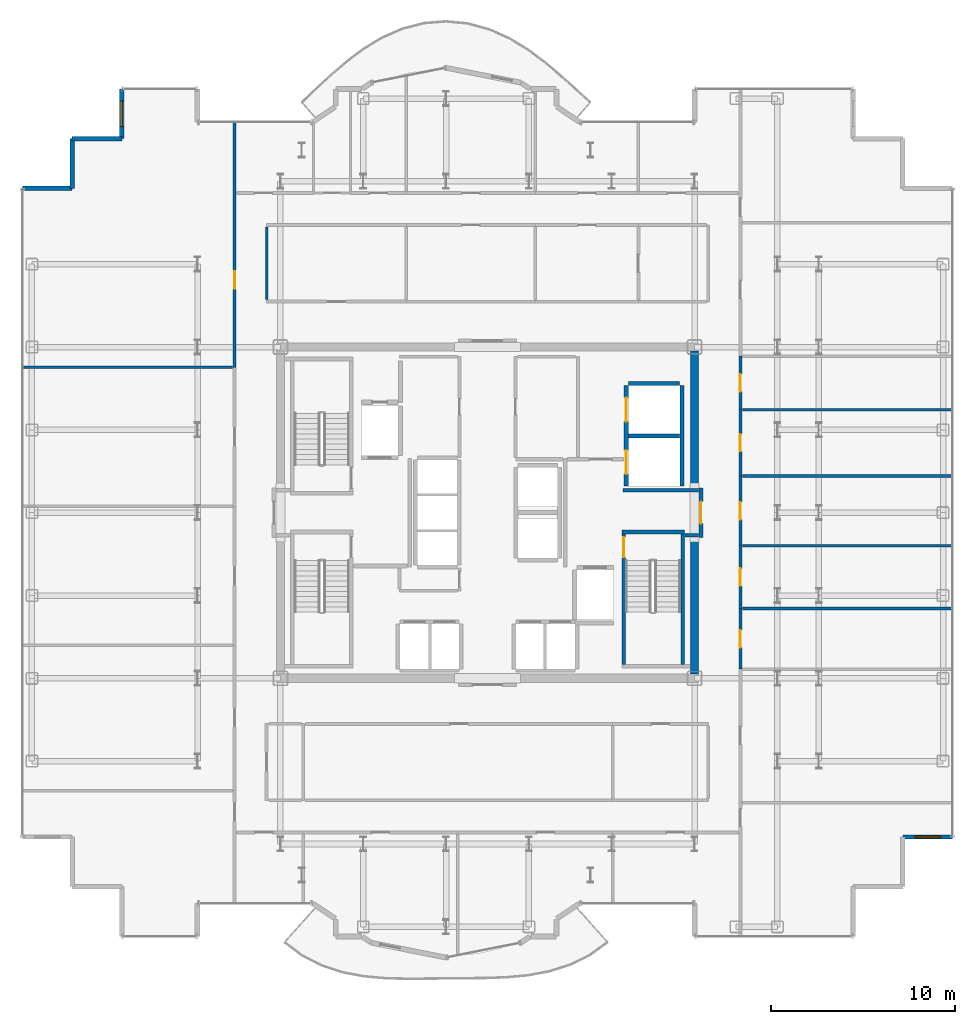
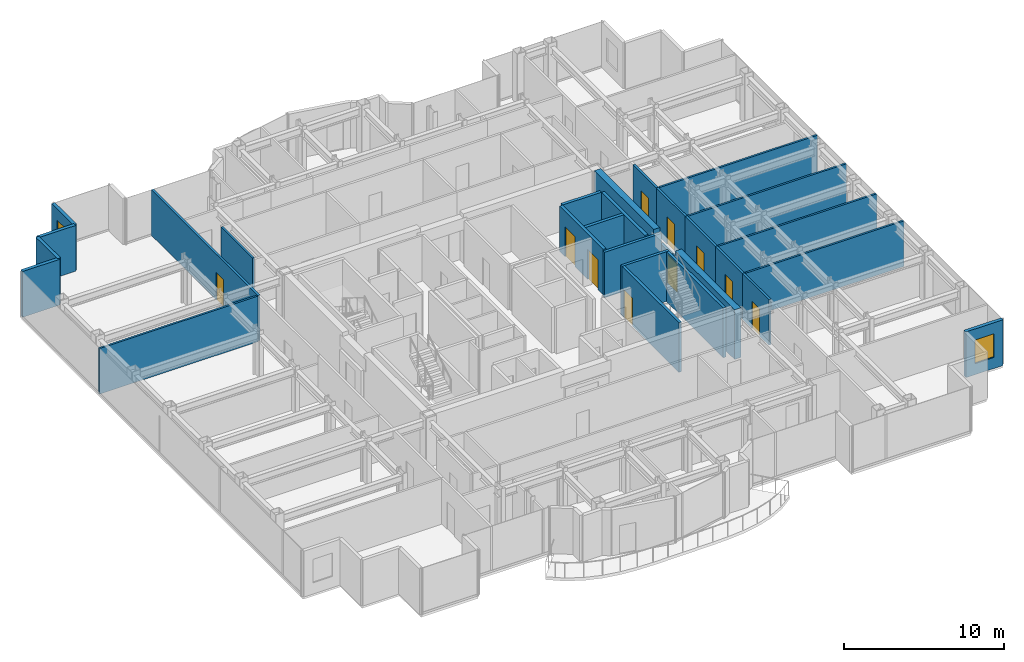
# One storey, part 17 of 21: 29 walls, 10 doors, 2 windows, 12 openings.
"""IFC4 building model written with IfcOpenShell, lengths in metres."""

from ifc_helpers import new_model, si_unit, direction, frame, frame_2d, origin, place, context, subcontext, project, spatial, rectangle, extrude, source, transform, mapped, material, layer, layer_set, type_object, element, fill, save


model = new_model("IFC4")

# Units and contexts
model_context = context("Model", 3, precision=1e-05, world=origin(), true_north=direction((0.0, 1.0)))
body_context = subcontext(model_context, "Body", "Model", "MODEL_VIEW")
ifc_project = project(units=[si_unit("LENGTHUNIT", "METRE"), si_unit("AREAUNIT", "SQUARE_METRE"), si_unit("VOLUMEUNIT", "CUBIC_METRE"), si_unit("PLANEANGLEUNIT", "RADIAN"), si_unit("MASSUNIT", "GRAM", prefix="KILO")], contexts=[model_context])

# Site, building, storey
site_placement = place(None, origin())
site = spatial("IfcSite", under=ifc_project, at=site_placement, CompositionType="ELEMENT")
building_placement = place(site_placement, origin())
building = spatial("IfcBuilding", under=site, at=building_placement, Name="Nefas-Gora Pilgrimage Tower", CompositionType="ELEMENT")
storey_placement = place(building_placement, frame((0.0, 0.0, 256.0)))
storey = spatial("IfcBuildingStorey", under=building, at=storey_placement, Name="L64", CompositionType="ELEMENT", Elevation=256.0)

# Walls
ifc_material_1 = material(Name="Concrete C50/60", Category="concrete")
ifc_layer_1 = layer(ifc_material_1, 0.449951171875)
ifc_layer_set_1 = layer_set([ifc_layer_1], Name="Concrete C50/60")
wall_type_1 = type_object("IfcWallType", Name="SW-CORE-450", PredefinedType="SHEAR", material=ifc_layer_set_1)
shared_shape_1 = source(origin(), body_context, "Body", "SweptSolid", [
    extrude(rectangle(XDim=7.4248046875, YDim=0.449951171875, at=frame_2d((3.71240234375, 0.0))), origin(), (0.0, 0.0, 1.0), 3.800048828125),
])
for number, where, z_axis, x_axis, name in (
    (1, (11.25, -8.77490234375, 0.0), (0.0, 0.0, 1.0), (0.0, 1.0, 0.0), "L64 Core Shear Wall E-South"),
    (2, (11.25, 1.35009765625, 0.0), (0.0, 0.0, 1.0), (0.0, 1.0, 0.0), "L64 Core Shear Wall E-North"),
):
    element("IfcWall", number, at=place(storey_placement, frame(where, z_axis=z_axis, x_axis=x_axis)), inside=storey, type_object=wall_type_1, Name=name, PredefinedType="SHEAR", context=body_context, shape_type="MappedRepresentation", body=[
        mapped(shared_shape_1, transform((0.0, 0.0, 0.0), x_axis=(1.0, 0.0, 0.0), y_axis=(0.0, 1.0, 0.0), z_axis=(0.0, 0.0, 1.0), scale=1.0)),
    ])

# Wall, opening, window
ifc_material_2 = material(Name="Precast concrete C45/55", Category="concrete")
ifc_layer_2 = layer(ifc_material_2, 0.239990234375)
ifc_layer_set_2 = layer_set([ifc_layer_2], Name="Precast concrete C45/55")
wall_type_2 = type_object("IfcWallType", Name="EW-SERR-240", PredefinedType="SHEAR", material=ifc_layer_set_2)
shared_shape_2 = source(origin(), body_context, "Body", "SweptSolid", [
    extrude(rectangle(XDim=2.699951171875, YDim=0.239990234375, at=frame_2d((1.35009765625, 0.0))), origin(), (0.0, 0.0, 1.0), 3.5),
])
wall_1_placement = place(storey_placement, frame((22.570068359375, -17.6201171875, 0.0), z_axis=(0.0, 0.0, 1.0), x_axis=(1.0, 0.0, 0.0)))
wall_1 = element("IfcWall", 3, at=wall_1_placement, inside=storey, type_object=wall_type_2, Name="L64 Serrated Corner Shear Pier Wall 5", PredefinedType="SHEAR", context=body_context, shape_type="MappedRepresentation", body=[
    mapped(shared_shape_2, transform((0.0, 0.0, 0.0), x_axis=(1.0, 0.0, 0.0), y_axis=(0.0, 1.0, 0.0), z_axis=(0.0, 0.0, 1.0), scale=1.0)),
])
opening_1_placement = place(wall_1_placement, frame((0.64990234375, 0.0, 0.85009765625)))
opening_1 = element("IfcOpeningElement", 4, at=opening_1_placement, cuts=wall_1, Name="Opening W-V2", PredefinedType="OPENING", context=body_context, shape_type="SweptSolid", body=[
    extrude(rectangle(XDim=1.39990234375, YDim=1.800048828125, at=frame_2d((0.699951171875, 0.89990234375))), frame((0.0, 0.1298828125, 0.0), z_axis=(0.0, -1.0, 0.0), x_axis=(1.0, 0.0, 0.0)), (0.0, 0.0, 1.0), 0.260009765625),
])
ifc_material_3 = material(Name="Dark ceramic-fritted operable aluminium-glass window", Category="aluminium")
window_type = type_object("IfcWindowType", Name="WIN-VENT-1400x1800", PartitioningType="SINGLE_PANEL", PredefinedType="WINDOW", material=ifc_material_3)
shared_shape_3 = source(origin(), body_context, "Body", "SweptSolid", [
    extrude(rectangle(XDim=1.39990234375, YDim=1.800048828125, at=frame_2d((0.699951171875, 0.89990234375))), frame((0.0, 0.030029296875, 0.0), z_axis=(0.0, -1.0, 0.0), x_axis=(1.0, 0.0, 0.0)), (0.0, 0.0, 1.0), 0.06005859375),
])
window_1_placement = place(opening_1_placement, origin())
window_1 = element("IfcWindow", 5, at=window_1_placement, inside=storey, type_object=window_type, Name="L64 Operable Parallel-Outswing Window 5", OverallHeight=1.800048828125, OverallWidth=1.39990234375, PartitioningType="SINGLE_PANEL", PredefinedType="WINDOW", context=body_context, shape_type="MappedRepresentation", body=[
    mapped(shared_shape_3, transform((0.0, 0.0, 0.0), x_axis=(1.0, 0.0, 0.0), y_axis=(0.0, 1.0, 0.0), z_axis=(0.0, 0.0, 1.0), scale=1.0)),
])
fill(opening_1, window_1)

wall_2_placement = place(storey_placement, frame((-19.8701171875, 23.02001953125, 0.0), z_axis=(0.0, 0.0, 1.0), x_axis=(0.0, -1.0, 0.0)))
wall_2 = element("IfcWall", 6, at=wall_2_placement, inside=storey, type_object=wall_type_2, Name="L64 Serrated Corner Shear Pier Wall 21", PredefinedType="SHEAR", context=body_context, shape_type="MappedRepresentation", body=[
    mapped(shared_shape_2, transform((0.0, 0.0, 0.0), x_axis=(1.0, 0.0, 0.0), y_axis=(0.0, 1.0, 0.0), z_axis=(0.0, 0.0, 1.0), scale=1.0)),
])
opening_2_placement = place(wall_2_placement, frame((0.64990234375, 0.0, 0.85009765625)))
opening_2 = element("IfcOpeningElement", 7, at=opening_2_placement, cuts=wall_2, Name="Opening W-V2", PredefinedType="OPENING", context=body_context, shape_type="SweptSolid", body=[
    extrude(rectangle(XDim=1.39990234375, YDim=1.800048828125, at=frame_2d((0.699951171875, 0.89990234375))), frame((0.0, 0.1298828125, 0.0), z_axis=(0.0, -1.0, 0.0), x_axis=(1.0, 0.0, 0.0)), (0.0, 0.0, 1.0), 0.260009765625),
])
window_2_placement = place(opening_2_placement, origin())
window_2 = element("IfcWindow", 8, at=window_2_placement, inside=storey, type_object=window_type, Name="L64 Operable Parallel-Outswing Window 21", OverallHeight=1.800048828125, OverallWidth=1.39990234375, PartitioningType="SINGLE_PANEL", PredefinedType="WINDOW", context=body_context, shape_type="MappedRepresentation", body=[
    mapped(shared_shape_3, transform((0.0, 0.0, 0.0), x_axis=(1.0, 0.0, 0.0), y_axis=(0.0, 1.0, 0.0), z_axis=(0.0, 0.0, 1.0), scale=1.0)),
])
fill(opening_2, window_2)

# Walls
for number, where, z_axis, x_axis, name in (
    (9, (-19.8701171875, 20.320068359375, 0.0), (0.0, 0.0, 1.0), (-1.0, 0.0, 0.0), "L64 Serrated Corner Shear Pier Wall 22"),
    (10, (-22.570068359375, 20.320068359375, 0.0), (0.0, 0.0, 1.0), (0.0, -1.0, 0.0), "L64 Serrated Corner Shear Pier Wall 23"),
    (11, (-22.570068359375, 17.6201171875, 0.0), (0.0, 0.0, 1.0), (-1.0, 0.0, 0.0), "L64 Serrated Corner Shear Pier Wall 24"),
):
    element("IfcWall", number, at=place(storey_placement, frame(where, z_axis=z_axis, x_axis=x_axis)), inside=storey, type_object=wall_type_2, Name=name, PredefinedType="SHEAR", context=body_context, shape_type="MappedRepresentation", body=[
        mapped(shared_shape_2, transform((0.0, 0.0, 0.0), x_axis=(1.0, 0.0, 0.0), y_axis=(0.0, 1.0, 0.0), z_axis=(0.0, 0.0, 1.0), scale=1.0)),
    ])
ifc_material_4 = material(Name="Concrete C45/55", Category="concrete")
ifc_layer_3 = layer(ifc_material_4, 0.199951171875)
ifc_layer_set_3 = layer_set([ifc_layer_3], Name="Concrete C45/55")
wall_type_3 = type_object("IfcWallType", Name="IW-STAIR-200", PredefinedType="SOLIDWALL", material=ifc_layer_set_3)
shared_shape_4 = source(origin(), body_context, "Body", "SweptSolid", [
    extrude(rectangle(XDim=3.39990234375, YDim=0.199951171875, at=frame_2d((1.699951171875, 0.0))), origin(), (0.0, 0.0, 1.0), 3.800048828125),
])
wall_3_placement = place(storey_placement, frame((7.300048828125, -1.050048828125, 0.0), z_axis=(0.0, 0.0, 1.0), x_axis=(1.0, 0.0, 0.0)))
element("IfcWall", 12, at=wall_3_placement, inside=storey, type_object=wall_type_3, Name="L64 Stairwell Shear Wall ST-02-near", PredefinedType="SOLIDWALL", context=body_context, shape_type="MappedRepresentation", body=[
    mapped(shared_shape_4, transform((0.0, 0.0, 0.0), x_axis=(1.0, 0.0, 0.0), y_axis=(0.0, 1.0, 0.0), z_axis=(0.0, 0.0, 1.0), scale=1.0)),
])

# Wall, opening, door
shared_shape_5 = source(origin(), body_context, "Body", "SweptSolid", [
    extrude(rectangle(XDim=7.10009765625, YDim=0.199951171875, at=frame_2d((3.550048828125, 0.0))), origin(), (0.0, 0.0, 1.0), 3.800048828125),
])
wall_4_placement = place(storey_placement, frame((7.39990234375, -1.14990234375, 0.0), z_axis=(0.0, 0.0, 1.0), x_axis=(0.0, -1.0, 0.0)))
wall_4 = element("IfcWall", 13, at=wall_4_placement, inside=storey, type_object=wall_type_3, Name="L64 Stairwell Shear Wall ST-02-left", PredefinedType="SOLIDWALL", context=body_context, shape_type="MappedRepresentation", body=[
    mapped(shared_shape_5, transform((0.0, 0.0, 0.0), x_axis=(1.0, 0.0, 0.0), y_axis=(0.0, 1.0, 0.0), z_axis=(0.0, 0.0, 1.0), scale=1.0)),
])
opening_3_placement = place(wall_4_placement, frame((0.179931640625, 0.0, 0.0)))
opening_3 = element("IfcOpeningElement", 14, at=opening_3_placement, cuts=wall_4, Name="Opening ID-ST1", PredefinedType="OPENING", context=body_context, shape_type="SweptSolid", body=[
    extrude(rectangle(XDim=1.10009765625, YDim=2.14990234375, at=frame_2d((0.550048828125, 1.074951171875))), frame((0.0, 0.10986328125, 0.0), z_axis=(0.0, -1.0, 0.0), x_axis=(1.0, 0.0, 0.0)), (0.0, 0.0, 1.0), 0.219970703125),
])
ifc_material_5 = material(Name="Painted galvanised steel fire stair door", Category="steel")
door_type_1 = type_object("IfcDoorType", Name="DR-INT-STAIR-1100", OperationType="NOTDEFINED", PredefinedType="DOOR", material=ifc_material_5)
shared_shape_6 = source(origin(), body_context, "Body", "SweptSolid", [
    extrude(rectangle(XDim=1.10009765625, YDim=2.14990234375, at=frame_2d((0.550048828125, 1.074951171875))), frame((0.0, 0.02490234375, 0.0), z_axis=(0.0, -1.0, 0.0), x_axis=(1.0, 0.0, 0.0)), (0.0, 0.0, 1.0), 0.050048828125),
])
door_1_placement = place(opening_3_placement, origin())
door_1 = element("IfcDoor", 15, at=door_1_placement, inside=storey, type_object=door_type_1, Name="L64 Protected Exit Stair Door ST-02", OperationType="SINGLE_SWING_LEFT", OverallHeight=2.14990234375, OverallWidth=1.10009765625, PredefinedType="DOOR", context=body_context, shape_type="MappedRepresentation", body=[
    mapped(shared_shape_6, transform((0.0, 0.0, 0.0), x_axis=(1.0, 0.0, 0.0), y_axis=(0.0, 1.0, 0.0), z_axis=(0.0, 0.0, 1.0), scale=1.0)),
])
fill(opening_3, door_1)

# Wall
wall_5_placement = place(storey_placement, frame((10.60009765625, -1.14990234375, 0.0), z_axis=(0.0, 0.0, 1.0), x_axis=(0.0, -1.0, 0.0)))
element("IfcWall", 16, at=wall_5_placement, inside=storey, type_object=wall_type_3, Name="L64 Stairwell Shear Wall ST-02-right", PredefinedType="SOLIDWALL", context=body_context, shape_type="MappedRepresentation", body=[
    mapped(shared_shape_5, transform((0.0, 0.0, 0.0), x_axis=(1.0, 0.0, 0.0), y_axis=(0.0, 1.0, 0.0), z_axis=(0.0, 0.0, 1.0), scale=1.0)),
])

# Wall, openings, doors
ifc_material_6 = material(Name="Concrete C40/50", Category="concrete")
ifc_layer_4 = layer(ifc_material_6, 0.219970703125)
ifc_layer_set_4 = layer_set([ifc_layer_4], Name="Concrete C40/50")
wall_type_4 = type_object("IfcWallType", Name="IW-SHAFT-220", PredefinedType="SOLIDWALL", material=ifc_layer_set_4)
shared_shape_7 = source(origin(), body_context, "Body", "SweptSolid", [
    extrude(rectangle(XDim=5.449951171875, YDim=0.219970703125, at=frame_2d((2.72509765625, 0.0))), origin(), (0.0, 0.0, 1.0), 3.485107421875),
])
wall_6_placement = place(storey_placement, frame((7.5400390625, 6.89990234375, 0.0), z_axis=(0.0, 0.0, 1.0), x_axis=(0.0, -1.0, 0.0)))
wall_6 = element("IfcWall", 17, at=wall_6_placement, inside=storey, type_object=wall_type_4, Name="L64 Hoistway Wall SL-01-02-W", PredefinedType="SOLIDWALL", context=body_context, shape_type="MappedRepresentation", body=[
    mapped(shared_shape_7, transform((0.0, 0.0, 0.0), x_axis=(1.0, 0.0, 0.0), y_axis=(0.0, 1.0, 0.0), z_axis=(0.0, 0.0, 1.0), scale=1.0)),
])
opening_4_placement = place(wall_6_placement, frame((3.5, 0.0, 0.0)))
opening_4 = element("IfcOpeningElement", 18, at=opening_4_placement, cuts=wall_6, Name="Opening LD-SV", PredefinedType="OPENING", context=body_context, shape_type="SweptSolid", body=[
    extrude(rectangle(XDim=1.300048828125, YDim=2.300048828125, at=frame_2d((0.64990234375, 1.14990234375))), frame((0.0, 0.119873046875, 0.0), z_axis=(0.0, -1.0, 0.0), x_axis=(1.0, 0.0, 0.0)), (0.0, 0.0, 1.0), 0.239990234375),
])
opening_5_placement = place(wall_6_placement, frame((0.64990234375, 0.0, 0.0)))
opening_5 = element("IfcOpeningElement", 19, at=opening_5_placement, cuts=wall_6, Name="Opening LD-SV", PredefinedType="OPENING", context=body_context, shape_type="SweptSolid", body=[
    extrude(rectangle(XDim=1.300048828125, YDim=2.300048828125, at=frame_2d((0.64990234375, 1.14990234375))), frame((0.0, 0.119873046875, 0.0), z_axis=(0.0, -1.0, 0.0), x_axis=(1.0, 0.0, 0.0)), (0.0, 0.0, 1.0), 0.239990234375),
])
ifc_material_7 = material(Name="Heavy goods sliding lift landing door")
door_type_2 = type_object("IfcDoorType", Name="DR-LIFT-SERV-1300", OperationType="SLIDING_TO_RIGHT", PredefinedType="DOOR", material=ifc_material_7)
shared_shape_8 = source(origin(), body_context, "Body", "SweptSolid", [
    extrude(rectangle(XDim=1.300048828125, YDim=2.300048828125, at=frame_2d((0.64990234375, 1.14990234375))), frame((0.0, 0.02490234375, 0.0), z_axis=(0.0, -1.0, 0.0), x_axis=(1.0, 0.0, 0.0)), (0.0, 0.0, 1.0), 0.050048828125),
])
door_2_placement = place(opening_4_placement, origin())
door_2 = element("IfcDoor", 20, at=door_2_placement, inside=storey, type_object=door_type_2, Name="L64 Sliding Lift Landing Door SL-01", OperationType="SLIDING_TO_RIGHT", OverallHeight=2.300048828125, OverallWidth=1.300048828125, PredefinedType="DOOR", context=body_context, shape_type="MappedRepresentation", body=[
    mapped(shared_shape_8, transform((0.0, 0.0, 0.0), x_axis=(1.0, 0.0, 0.0), y_axis=(0.0, 1.0, 0.0), z_axis=(0.0, 0.0, 1.0), scale=1.0)),
])
fill(opening_4, door_2)
door_3_placement = place(opening_5_placement, origin())
door_3 = element("IfcDoor", 21, at=door_3_placement, inside=storey, type_object=door_type_2, Name="L64 Sliding Lift Landing Door SL-02", OperationType="SLIDING_TO_RIGHT", OverallHeight=2.300048828125, OverallWidth=1.300048828125, PredefinedType="DOOR", context=body_context, shape_type="MappedRepresentation", body=[
    mapped(shared_shape_8, transform((0.0, 0.0, 0.0), x_axis=(1.0, 0.0, 0.0), y_axis=(0.0, 1.0, 0.0), z_axis=(0.0, 0.0, 1.0), scale=1.0)),
])
fill(opening_5, door_3)

# Walls
wall_7_placement = place(storey_placement, frame((10.56005859375, 1.449951171875, 0.0), z_axis=(0.0, 0.0, 1.0), x_axis=(0.0, 1.0, 0.0)))
element("IfcWall", 22, at=wall_7_placement, inside=storey, type_object=wall_type_4, Name="L64 Hoistway Wall SL-01-02-E", PredefinedType="SOLIDWALL", context=body_context, shape_type="MappedRepresentation", body=[
    mapped(shared_shape_7, transform((0.0, 0.0, 0.0), x_axis=(1.0, 0.0, 0.0), y_axis=(0.0, 1.0, 0.0), z_axis=(0.0, 0.0, 1.0), scale=1.0)),
])
shared_shape_9 = source(origin(), body_context, "Body", "SweptSolid", [
    extrude(rectangle(XDim=2.780029296875, YDim=0.219970703125, at=frame_2d((1.39013671875, 0.0))), origin(), (0.0, 0.0, 1.0), 3.485107421875),
])
for number, where, z_axis, x_axis, name in (
    (23, (7.659912109375, 4.175048828125, 0.0), (0.0, 0.0, 1.0), (1.0, 0.0, 0.0), "L64 Hoistway Wall SL-01-02-DIV"),
    (24, (10.43994140625, 7.010009765625, 0.0), (0.0, 0.0, 1.0), (-1.0, 0.0, 0.0), "L64 Hoistway Wall SL-02-N"),
):
    element("IfcWall", number, at=place(storey_placement, frame(where, z_axis=z_axis, x_axis=x_axis)), inside=storey, type_object=wall_type_4, Name=name, PredefinedType="SOLIDWALL", context=body_context, shape_type="MappedRepresentation", body=[
        mapped(shared_shape_9, transform((0.0, 0.0, 0.0), x_axis=(1.0, 0.0, 0.0), y_axis=(0.0, 1.0, 0.0), z_axis=(0.0, 0.0, 1.0), scale=1.0)),
    ])
ifc_material_8 = material(Name="Gypsum fire-rated shaftwall")
ifc_layer_5 = layer(ifc_material_8, 0.199951171875)
ifc_layer_set_5 = layer_set([ifc_layer_5], Name="Gypsum fire-rated shaftwall")
wall_type_5 = type_object("IfcWallType", Name="IW-FFLOB-200", PredefinedType="PARTITIONING", material=ifc_layer_set_5)
shared_shape_10 = source(origin(), body_context, "Body", "SweptSolid", [
    extrude(rectangle(XDim=0.719970703125, YDim=0.199951171875, at=frame_2d((0.35986328125, 0.0))), origin(), (0.0, 0.0, 1.0), 3.485107421875),
])
wall_8_placement = place(storey_placement, frame((10.739990234375, -1.219970703125, 0.0), z_axis=(0.0, 0.0, 1.0), x_axis=(1.0, 0.0, 0.0)))
element("IfcWall", 25, at=wall_8_placement, inside=storey, type_object=wall_type_5, Name="L64 FF Lobby East Throat S Wall 14", PredefinedType="PARTITIONING", context=body_context, shape_type="MappedRepresentation", body=[
    mapped(shared_shape_10, transform((0.0, 0.0, 0.0), x_axis=(1.0, 0.0, 0.0), y_axis=(0.0, 1.0, 0.0), z_axis=(0.0, 0.0, 1.0), scale=1.0)),
])
shared_shape_11 = source(origin(), body_context, "Body", "SweptSolid", [
    extrude(rectangle(XDim=4.10986328125, YDim=0.199951171875, at=frame_2d((2.054931640625, 0.0))), origin(), (0.0, 0.0, 1.0), 3.485107421875),
])
wall_9_placement = place(storey_placement, frame((7.35009765625, 1.219970703125, 0.0), z_axis=(0.0, 0.0, 1.0), x_axis=(1.0, 0.0, 0.0)))
element("IfcWall", 26, at=wall_9_placement, inside=storey, type_object=wall_type_5, Name="L64 FF Lobby East Throat N Wall 13", PredefinedType="PARTITIONING", context=body_context, shape_type="MappedRepresentation", body=[
    mapped(shared_shape_11, transform((0.0, 0.0, 0.0), x_axis=(1.0, 0.0, 0.0), y_axis=(0.0, 1.0, 0.0), z_axis=(0.0, 0.0, 1.0), scale=1.0)),
])

# Wall, opening, door
ifc_material_9 = material(Name="Gypsum acoustic stud partition")
ifc_layer_6 = layer(ifc_material_9, 0.159912109375)
ifc_layer_set_6 = layer_set([ifc_layer_6], Name="Gypsum acoustic stud partition")
wall_type_6 = type_object("IfcWallType", Name="IW-CORR-160", PredefinedType="PARTITIONING", material=ifc_layer_set_6)
shared_shape_12 = source(origin(), body_context, "Body", "SweptSolid", [
    extrude(rectangle(XDim=13.3525390625, YDim=0.159912109375, at=frame_2d((6.67626953125, 0.0))), origin(), (0.0, 0.0, 1.0), 3.485107421875),
])
wall_10_placement = place(storey_placement, frame((-13.739990234375, 7.887451171875, 0.0), z_axis=(0.0, 0.0, 1.0), x_axis=(0.0, 1.0, 0.0)))
wall_10 = element("IfcWall", 27, at=wall_10_placement, inside=storey, type_object=wall_type_6, Name="L64 Pilgrim Devotional Prayer Gallery Partition Wall 32", PredefinedType="PARTITIONING", context=body_context, shape_type="MappedRepresentation", body=[
    mapped(shared_shape_12, transform((0.0, 0.0, 0.0), x_axis=(1.0, 0.0, 0.0), y_axis=(0.0, 1.0, 0.0), z_axis=(0.0, 0.0, 1.0), scale=1.0)),
])
opening_6_placement = place(wall_10_placement, frame((4.286376953125, 0.0, 0.0)))
opening_6 = element("IfcOpeningElement", 28, at=opening_6_placement, cuts=wall_10, Name="Opening ID-GR1", PredefinedType="OPENING", context=body_context, shape_type="SweptSolid", body=[
    extrude(rectangle(XDim=0.949951171875, YDim=2.10009765625, at=frame_2d((0.47509765625, 1.050048828125))), frame((0.0, 0.08984375, 0.0), z_axis=(0.0, -1.0, 0.0), x_axis=(1.0, 0.0, 0.0)), (0.0, 0.0, 1.0), 0.179931640625),
])
ifc_material_10 = material(Name="Solid core oak fire-rated guest entrance door")
door_type_3 = type_object("IfcDoorType", Name="DR-INT-GUEST-950", OperationType="NOTDEFINED", PredefinedType="DOOR", material=ifc_material_10)
shared_shape_13 = source(origin(), body_context, "Body", "SweptSolid", [
    extrude(rectangle(XDim=0.949951171875, YDim=2.10009765625, at=frame_2d((0.47509765625, 1.050048828125))), frame((0.0, 0.02490234375, 0.0), z_axis=(0.0, -1.0, 0.0), x_axis=(1.0, 0.0, 0.0)), (0.0, 0.0, 1.0), 0.050048828125),
])
door_4_placement = place(opening_6_placement, origin())
door_4 = element("IfcDoor", 29, at=door_4_placement, inside=storey, type_object=door_type_3, Name="L64 Pilgrim Devotional Prayer Gallery Door 13", OperationType="SINGLE_SWING_LEFT", OverallHeight=2.10009765625, OverallWidth=0.949951171875, PredefinedType="DOOR", context=body_context, shape_type="MappedRepresentation", body=[
    mapped(shared_shape_13, transform((0.0, 0.0, 0.0), x_axis=(1.0, 0.0, 0.0), y_axis=(0.0, 1.0, 0.0), z_axis=(0.0, 0.0, 1.0), scale=1.0)),
])
fill(opening_6, door_4)

shared_shape_14 = source(origin(), body_context, "Body", "SweptSolid", [
    extrude(rectangle(XDim=3.309814453125, YDim=0.159912109375, at=frame_2d((1.65478515625, 0.0))), origin(), (0.0, 0.0, 1.0), 3.485107421875),
])
wall_11_placement = place(storey_placement, frame((13.739990234375, -8.5048828125, 0.0), z_axis=(0.0, 0.0, 1.0), x_axis=(0.0, 1.0, 0.0)))
wall_11 = element("IfcWall", 30, at=wall_11_placement, inside=storey, type_object=wall_type_6, Name="L64 Pastoral Chaplains Counselling Office Partition Wall 41", PredefinedType="PARTITIONING", context=body_context, shape_type="MappedRepresentation", body=[
    mapped(shared_shape_14, transform((0.0, 0.0, 0.0), x_axis=(1.0, 0.0, 0.0), y_axis=(0.0, 1.0, 0.0), z_axis=(0.0, 0.0, 1.0), scale=1.0)),
])
opening_7_placement = place(wall_11_placement, frame((1.179931640625, 0.0, 0.0)))
opening_7 = element("IfcOpeningElement", 31, at=opening_7_placement, cuts=wall_11, Name="Opening ID-GR1", PredefinedType="OPENING", context=body_context, shape_type="SweptSolid", body=[
    extrude(rectangle(XDim=0.949951171875, YDim=2.10009765625, at=frame_2d((0.47509765625, 1.050048828125))), frame((0.0, 0.08984375, 0.0), z_axis=(0.0, -1.0, 0.0), x_axis=(1.0, 0.0, 0.0)), (0.0, 0.0, 1.0), 0.179931640625),
])
door_5_placement = place(opening_7_placement, origin())
door_5 = element("IfcDoor", 32, at=door_5_placement, inside=storey, type_object=door_type_3, Name="L64 Pastoral Chaplains Counselling Office Door 18", OperationType="SINGLE_SWING_RIGHT", OverallHeight=2.10009765625, OverallWidth=0.949951171875, PredefinedType="DOOR", context=body_context, shape_type="MappedRepresentation", body=[
    mapped(shared_shape_13, transform((0.0, 0.0, 0.0), x_axis=(1.0, 0.0, 0.0), y_axis=(0.0, 1.0, 0.0), z_axis=(0.0, 0.0, 1.0), scale=1.0)),
])
fill(opening_7, door_5)

shared_shape_15 = source(origin(), body_context, "Body", "SweptSolid", [
    extrude(rectangle(XDim=3.41015625, YDim=0.159912109375, at=frame_2d((1.705078125, 0.0))), origin(), (0.0, 0.0, 1.0), 3.485107421875),
])
wall_12_placement = place(storey_placement, frame((13.739990234375, -5.205078125, 0.0), z_axis=(0.0, 0.0, 1.0), x_axis=(0.0, 1.0, 0.0)))
wall_12 = element("IfcWall", 33, at=wall_12_placement, inside=storey, type_object=wall_type_6, Name="L64 Pilgrim Fellowship Seminar Room Partition Wall 43", PredefinedType="PARTITIONING", context=body_context, shape_type="MappedRepresentation", body=[
    mapped(shared_shape_15, transform((0.0, 0.0, 0.0), x_axis=(1.0, 0.0, 0.0), y_axis=(0.0, 1.0, 0.0), z_axis=(0.0, 0.0, 1.0), scale=1.0)),
])
opening_8_placement = place(wall_12_placement, frame((1.22998046875, 0.0, 0.0)))
opening_8 = element("IfcOpeningElement", 34, at=opening_8_placement, cuts=wall_12, Name="Opening ID-GR1", PredefinedType="OPENING", context=body_context, shape_type="SweptSolid", body=[
    extrude(rectangle(XDim=0.949951171875, YDim=2.10009765625, at=frame_2d((0.47509765625, 1.050048828125))), frame((0.0, 0.08984375, 0.0), z_axis=(0.0, -1.0, 0.0), x_axis=(1.0, 0.0, 0.0)), (0.0, 0.0, 1.0), 0.179931640625),
])
door_6_placement = place(opening_8_placement, origin())
door_6 = element("IfcDoor", 35, at=door_6_placement, inside=storey, type_object=door_type_3, Name="L64 Pilgrim Fellowship Seminar Room Door 19", OperationType="SINGLE_SWING_LEFT", OverallHeight=2.10009765625, OverallWidth=0.949951171875, PredefinedType="DOOR", context=body_context, shape_type="MappedRepresentation", body=[
    mapped(shared_shape_13, transform((0.0, 0.0, 0.0), x_axis=(1.0, 0.0, 0.0), y_axis=(0.0, 1.0, 0.0), z_axis=(0.0, 0.0, 1.0), scale=1.0)),
])
fill(opening_8, door_6)

# Walls
ifc_material_11 = material(Name="Gypsum twin-stud partition")
ifc_layer_7 = layer(ifc_material_11, 0.139892578125)
ifc_layer_set_7 = layer_set([ifc_layer_7], Name="Gypsum twin-stud partition")
wall_type_7 = type_object("IfcWallType", Name="IW-UNIT-140", PredefinedType="PARTITIONING", material=ifc_layer_set_7)
shared_shape_16 = source(origin(), body_context, "Body", "SweptSolid", [
    extrude(rectangle(XDim=11.429931640625, YDim=0.139892578125, at=frame_2d((5.71484375, 0.0))), origin(), (0.0, 0.0, 1.0), 3.485107421875),
])
for number, where, z_axis, x_axis, name in (
    (36, (-25.2900390625, 7.8974609375, 0.0), (0.0, 0.0, 1.0), (1.0, 0.0, 0.0), "L64 Pilgrim Devotional Prayer Gallery Partition Wall 33"),
    (37, (13.860107421875, -5.205078125, 0.0), (0.0, 0.0, 1.0), (1.0, 0.0, 0.0), "L64 Pastoral Chaplains Counselling Office Partition Wall 42"),
    (38, (13.860107421875, -1.804931640625, 0.0), (0.0, 0.0, 1.0), (1.0, 0.0, 0.0), "L64 Pilgrim Fellowship Seminar Room Partition Wall 44"),
    (39, (13.860107421875, 1.9951171875, 0.0), (0.0, 0.0, 1.0), (1.0, 0.0, 0.0), "L64 Pilgrim Contemplative Lounge Partition Wall 46"),
    (40, (13.860107421875, 5.594970703125, 0.0), (0.0, 0.0, 1.0), (1.0, 0.0, 0.0), "L64 Pilgrim Contemplative Lounge Partition Wall 48"),
):
    element("IfcWall", number, at=place(storey_placement, frame(where, z_axis=z_axis, x_axis=x_axis)), inside=storey, type_object=wall_type_7, Name=name, PredefinedType="PARTITIONING", context=body_context, shape_type="MappedRepresentation", body=[
        mapped(shared_shape_16, transform((0.0, 0.0, 0.0), x_axis=(1.0, 0.0, 0.0), y_axis=(0.0, 1.0, 0.0), z_axis=(0.0, 0.0, 1.0), scale=1.0)),
    ])
shared_shape_17 = source(origin(), body_context, "Body", "SweptSolid", [
    extrude(rectangle(XDim=3.929931640625, YDim=0.139892578125, at=frame_2d((1.96484375, 0.0))), origin(), (0.0, 0.0, 1.0), 3.485107421875),
])
wall_13_placement = place(storey_placement, frame((-12.0, 11.590087890625, 0.0), z_axis=(0.0, 0.0, 1.0), x_axis=(0.0, 1.0, 0.0)))
element("IfcWall", 41, at=wall_13_placement, inside=storey, type_object=wall_type_7, Name="L64 Pilgrim Contemplative Lounge Partition Wall 56", PredefinedType="PARTITIONING", context=body_context, shape_type="MappedRepresentation", body=[
    mapped(shared_shape_17, transform((0.0, 0.0, 0.0), x_axis=(1.0, 0.0, 0.0), y_axis=(0.0, 1.0, 0.0), z_axis=(0.0, 0.0, 1.0), scale=1.0)),
])

# Wall, opening, door
shared_shape_18 = source(origin(), body_context, "Body", "SweptSolid", [
    extrude(rectangle(XDim=2.7001953125, YDim=0.199951171875, at=frame_2d((1.35009765625, 0.0))), origin(), (0.0, 0.0, 1.0), 2.574951171875),
])
wall_14_placement = place(storey_placement, frame((11.60009765625, -1.35009765625, 0.0), z_axis=(0.0, 0.0, 1.0), x_axis=(0.0, 1.0, 0.0)))
wall_14 = element("IfcWall", 42, at=wall_14_placement, inside=storey, type_object=wall_type_5, Name="L64 FF Lobby East Portal Wall 9", PredefinedType="PARTITIONING", context=body_context, shape_type="MappedRepresentation", body=[
    mapped(shared_shape_18, transform((0.0, 0.0, 0.0), x_axis=(1.0, 0.0, 0.0), y_axis=(0.0, 1.0, 0.0), z_axis=(0.0, 0.0, 1.0), scale=1.0)),
])
opening_9_placement = place(wall_14_placement, frame((0.75, 0.0, 0.0)))
opening_9 = element("IfcOpeningElement", 43, at=opening_9_placement, cuts=wall_14, Name="Opening ID-FF1", PredefinedType="OPENING", context=body_context, shape_type="SweptSolid", body=[
    extrude(rectangle(XDim=1.199951171875, YDim=2.14990234375, at=frame_2d((0.60009765625, 1.074951171875))), frame((0.0, 0.10986328125, 0.0), z_axis=(0.0, -1.0, 0.0), x_axis=(1.0, 0.0, 0.0)), (0.0, 0.0, 1.0), 0.219970703125),
])
ifc_material_12 = material(Name="Smoke-sealed steel firefighting lobby door", Category="steel")
door_type_4 = type_object("IfcDoorType", Name="DR-INT-FFLOB-1200", OperationType="NOTDEFINED", PredefinedType="DOOR", material=ifc_material_12)
shared_shape_19 = source(origin(), body_context, "Body", "SweptSolid", [
    extrude(rectangle(XDim=1.199951171875, YDim=2.14990234375, at=frame_2d((0.60009765625, 1.074951171875))), frame((0.0, 0.02490234375, 0.0), z_axis=(0.0, -1.0, 0.0), x_axis=(1.0, 0.0, 0.0)), (0.0, 0.0, 1.0), 0.050048828125),
])
door_7_placement = place(opening_9_placement, origin())
door_7 = element("IfcDoor", 44, at=door_7_placement, inside=storey, type_object=door_type_4, Name="L64 FF Lobby East Portal Door 3", OperationType="SINGLE_SWING_LEFT", OverallHeight=2.14990234375, OverallWidth=1.199951171875, PredefinedType="DOOR", context=body_context, shape_type="MappedRepresentation", body=[
    mapped(shared_shape_19, transform((0.0, 0.0, 0.0), x_axis=(1.0, 0.0, 0.0), y_axis=(0.0, 1.0, 0.0), z_axis=(0.0, 0.0, 1.0), scale=1.0)),
])
fill(opening_9, door_7)

shared_shape_20 = source(origin(), body_context, "Body", "SweptSolid", [
    extrude(rectangle(XDim=3.809814453125, YDim=0.159912109375, at=frame_2d((1.90478515625, 0.0))), origin(), (0.0, 0.0, 1.0), 3.485107421875),
])
wall_15_placement = place(storey_placement, frame((13.739990234375, -1.804931640625, 0.0), z_axis=(0.0, 0.0, 1.0), x_axis=(0.0, 1.0, 0.0)))
wall_15 = element("IfcWall", 45, at=wall_15_placement, inside=storey, type_object=wall_type_6, Name="L64 Pilgrim Contemplative Lounge Partition Wall 45", PredefinedType="PARTITIONING", context=body_context, shape_type="MappedRepresentation", body=[
    mapped(shared_shape_20, transform((0.0, 0.0, 0.0), x_axis=(1.0, 0.0, 0.0), y_axis=(0.0, 1.0, 0.0), z_axis=(0.0, 0.0, 1.0), scale=1.0)),
])
opening_10_placement = place(wall_15_placement, frame((1.429931640625, 0.0, 0.0)))
opening_10 = element("IfcOpeningElement", 46, at=opening_10_placement, cuts=wall_15, Name="Opening ID-GR1", PredefinedType="OPENING", context=body_context, shape_type="SweptSolid", body=[
    extrude(rectangle(XDim=0.949951171875, YDim=2.10009765625, at=frame_2d((0.47509765625, 1.050048828125))), frame((0.0, 0.08984375, 0.0), z_axis=(0.0, -1.0, 0.0), x_axis=(1.0, 0.0, 0.0)), (0.0, 0.0, 1.0), 0.179931640625),
])
door_8_placement = place(opening_10_placement, origin())
door_8 = element("IfcDoor", 47, at=door_8_placement, inside=storey, type_object=door_type_3, Name="L64 Pilgrim Contemplative Lounge Door 20", OperationType="SINGLE_SWING_RIGHT", OverallHeight=2.10009765625, OverallWidth=0.949951171875, PredefinedType="DOOR", context=body_context, shape_type="MappedRepresentation", body=[
    mapped(shared_shape_13, transform((0.0, 0.0, 0.0), x_axis=(1.0, 0.0, 0.0), y_axis=(0.0, 1.0, 0.0), z_axis=(0.0, 0.0, 1.0), scale=1.0)),
])
fill(opening_10, door_8)

shared_shape_21 = source(origin(), body_context, "Body", "SweptSolid", [
    extrude(rectangle(XDim=3.60986328125, YDim=0.159912109375, at=frame_2d((1.804931640625, 0.0))), origin(), (0.0, 0.0, 1.0), 3.485107421875),
])
wall_16_placement = place(storey_placement, frame((13.739990234375, 1.9951171875, 0.0), z_axis=(0.0, 0.0, 1.0), x_axis=(0.0, 1.0, 0.0)))
wall_16 = element("IfcWall", 48, at=wall_16_placement, inside=storey, type_object=wall_type_6, Name="L64 Pilgrim Contemplative Lounge Partition Wall 47", PredefinedType="PARTITIONING", context=body_context, shape_type="MappedRepresentation", body=[
    mapped(shared_shape_21, transform((0.0, 0.0, 0.0), x_axis=(1.0, 0.0, 0.0), y_axis=(0.0, 1.0, 0.0), z_axis=(0.0, 0.0, 1.0), scale=1.0)),
])
opening_11_placement = place(wall_16_placement, frame((1.330078125, 0.0, 0.0)))
opening_11 = element("IfcOpeningElement", 49, at=opening_11_placement, cuts=wall_16, Name="Opening ID-GR1", PredefinedType="OPENING", context=body_context, shape_type="SweptSolid", body=[
    extrude(rectangle(XDim=0.949951171875, YDim=2.10009765625, at=frame_2d((0.47509765625, 1.050048828125))), frame((0.0, 0.08984375, 0.0), z_axis=(0.0, -1.0, 0.0), x_axis=(1.0, 0.0, 0.0)), (0.0, 0.0, 1.0), 0.179931640625),
])
door_9_placement = place(opening_11_placement, origin())
door_9 = element("IfcDoor", 50, at=door_9_placement, inside=storey, type_object=door_type_3, Name="L64 Pilgrim Contemplative Lounge Door 21", OperationType="SINGLE_SWING_LEFT", OverallHeight=2.10009765625, OverallWidth=0.949951171875, PredefinedType="DOOR", context=body_context, shape_type="MappedRepresentation", body=[
    mapped(shared_shape_13, transform((0.0, 0.0, 0.0), x_axis=(1.0, 0.0, 0.0), y_axis=(0.0, 1.0, 0.0), z_axis=(0.0, 0.0, 1.0), scale=1.0)),
])
fill(opening_11, door_9)

shared_shape_22 = source(origin(), body_context, "Body", "SweptSolid", [
    extrude(rectangle(XDim=2.909912109375, YDim=0.159912109375, at=frame_2d((1.455078125, 0.0))), origin(), (0.0, 0.0, 1.0), 3.485107421875),
])
wall_17_placement = place(storey_placement, frame((13.739990234375, 5.594970703125, 0.0), z_axis=(0.0, 0.0, 1.0), x_axis=(0.0, 1.0, 0.0)))
wall_17 = element("IfcWall", 51, at=wall_17_placement, inside=storey, type_object=wall_type_6, Name="L64 Scripture Reading Study Partition Wall 49", PredefinedType="PARTITIONING", context=body_context, shape_type="MappedRepresentation", body=[
    mapped(shared_shape_22, transform((0.0, 0.0, 0.0), x_axis=(1.0, 0.0, 0.0), y_axis=(0.0, 1.0, 0.0), z_axis=(0.0, 0.0, 1.0), scale=1.0)),
])
opening_12_placement = place(wall_17_placement, frame((0.97998046875, 0.0, 0.0)))
opening_12 = element("IfcOpeningElement", 52, at=opening_12_placement, cuts=wall_17, Name="Opening ID-GR1", PredefinedType="OPENING", context=body_context, shape_type="SweptSolid", body=[
    extrude(rectangle(XDim=0.949951171875, YDim=2.10009765625, at=frame_2d((0.47509765625, 1.050048828125))), frame((0.0, 0.08984375, 0.0), z_axis=(0.0, -1.0, 0.0), x_axis=(1.0, 0.0, 0.0)), (0.0, 0.0, 1.0), 0.179931640625),
])
door_10_placement = place(opening_12_placement, origin())
door_10 = element("IfcDoor", 53, at=door_10_placement, inside=storey, type_object=door_type_3, Name="L64 Scripture Reading Study Door 22", OperationType="SINGLE_SWING_RIGHT", OverallHeight=2.10009765625, OverallWidth=0.949951171875, PredefinedType="DOOR", context=body_context, shape_type="MappedRepresentation", body=[
    mapped(shared_shape_13, transform((0.0, 0.0, 0.0), x_axis=(1.0, 0.0, 0.0), y_axis=(0.0, 1.0, 0.0), z_axis=(0.0, 0.0, 1.0), scale=1.0)),
])
fill(opening_12, door_10)

save(model, "model.ifc")
